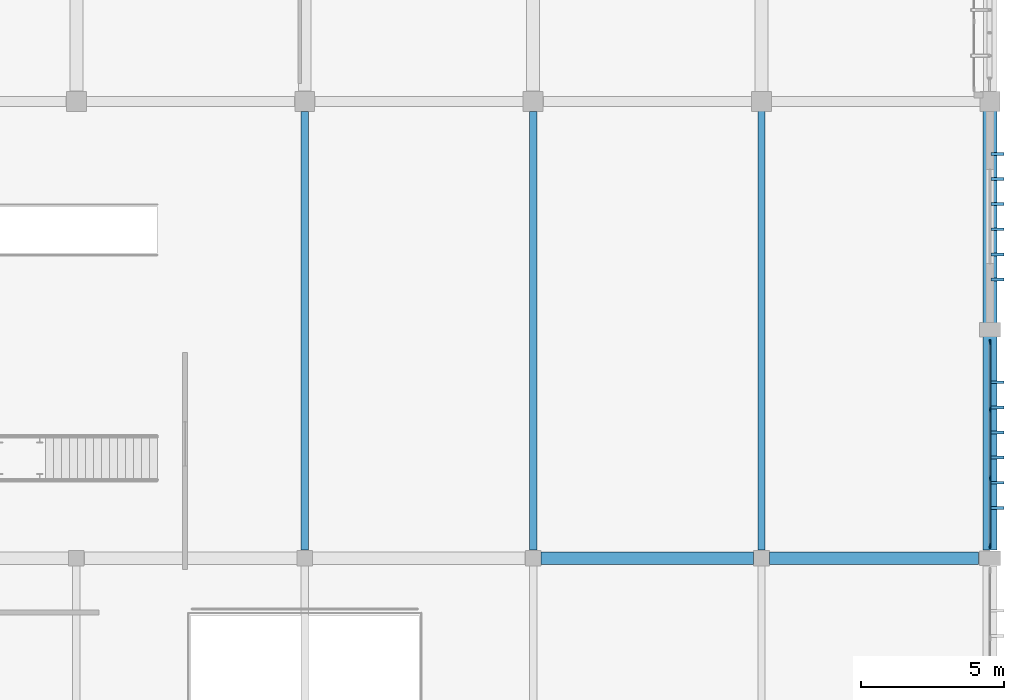
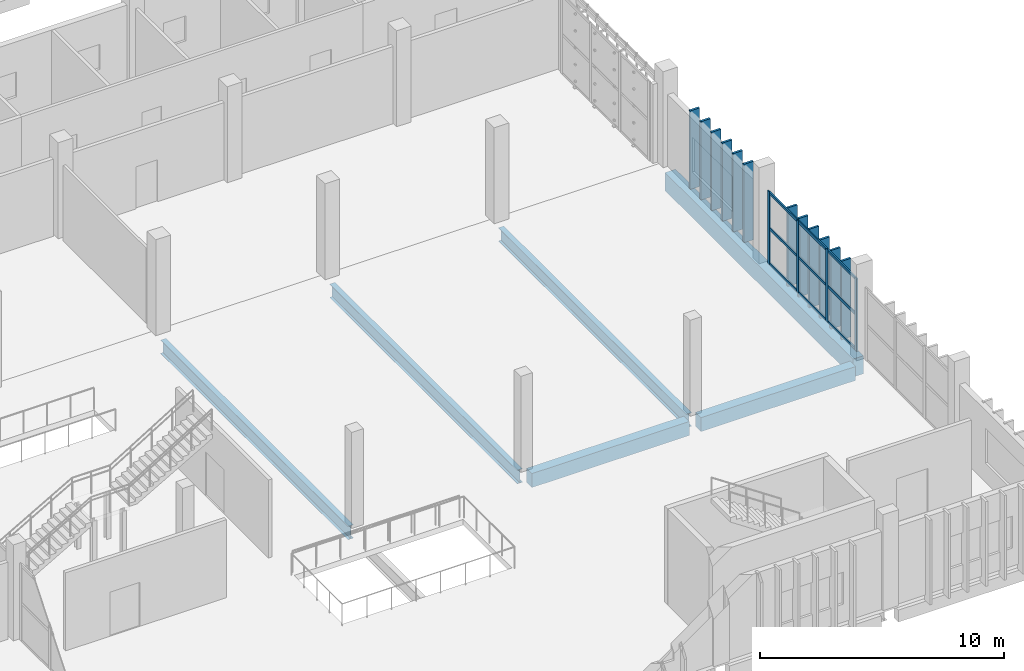
# One storey, part 52 of 106: 25 members, 6 beams, 1 element without a shape of its own.
"""IFC4 building model written with IfcOpenShell, lengths in metres."""

from ifc_helpers import new_model, si_unit, direction, frame, origin, origin_2d, place, context, subcontext, project, spatial, rectangle, i_section, extrude, material, layer, layer_set, material_profile, profile_set, type_object, element, aggregate, save


model = new_model("IFC4")

# Units and contexts
model_context = context("Model", 3, precision=1e-05, world=origin(), true_north=direction((0.0, 1.0)))
body_context = subcontext(model_context, "Body", "Model", "MODEL_VIEW")
ifc_project = project(units=[si_unit("LENGTHUNIT", "METRE"), si_unit("AREAUNIT", "SQUARE_METRE"), si_unit("VOLUMEUNIT", "CUBIC_METRE"), si_unit("PLANEANGLEUNIT", "RADIAN"), si_unit("MASSUNIT", "GRAM", prefix="KILO")], contexts=[model_context])

# Site, building, storey
site_placement = place(None, origin())
site = spatial("IfcSite", under=ifc_project, at=site_placement, CompositionType="ELEMENT")
building_placement = place(site_placement, origin())
building = spatial("IfcBuilding", under=site, at=building_placement, Name="Jelvoka-Kovrelna Polytechnic", CompositionType="ELEMENT")
storey_placement = place(building_placement, frame((0.0, 0.0, 4.800048828125)))
storey = spatial("IfcBuildingStorey", under=building, at=storey_placement, Name="L02", CompositionType="ELEMENT", Elevation=4.800048828125)

# Beams
ifc_material_1 = material(Name="Concrete C40/50", Category="concrete")
ifc_material_profile_1 = material_profile(ifc_material_1, rectangle(XDim=0.449951171875, YDim=0.699951171875, at=origin_2d()), Name="RC 450x700")
ifc_profile_set_1 = profile_set([ifc_material_profile_1], Name="Concrete C40/50")
beam_type_1 = type_object("IfcBeamType", Name="Beam_RC_450x700", PredefinedType="BEAM", material=ifc_profile_set_1)
beam_1_placement = place(storey_placement, frame((184.280029296875, 16.0, -0.635009765625), z_axis=(1.0, 0.0, 0.0), x_axis=(0.0, 1.0, 0.0)))
element("IfcBeam", 1, at=beam_1_placement, inside=storey, type_object=beam_type_1, Name="L02 beam 0190", PredefinedType="BEAM", context=body_context, shape_type="SweptSolid", body=[
    extrude(rectangle(XDim=0.449951171875, YDim=0.699951171875, at=origin_2d()), origin(), (0.0, 0.0, 1.0), 7.43994140625),
])
beam_2_placement = place(storey_placement, frame((192.280029296875, 16.0, -0.635009765625), z_axis=(1.0, 0.0, 0.0), x_axis=(0.0, 1.0, 0.0)))
element("IfcBeam", 2, at=beam_2_placement, inside=storey, type_object=beam_type_1, Name="L02 beam 0193", PredefinedType="BEAM", context=body_context, shape_type="SweptSolid", body=[
    extrude(rectangle(XDim=0.449951171875, YDim=0.699951171875, at=origin_2d()), origin(), (0.0, 0.0, 1.0), 7.31494140625),
])
ifc_material_2 = material(Name="Concrete C40/50", Category="concrete")
ifc_material_profile_2 = material_profile(ifc_material_2, rectangle(XDim=0.5, YDim=0.89990234375, at=origin_2d()), Name="RC 500x900")
ifc_profile_set_2 = profile_set([ifc_material_profile_2], Name="Concrete C40/50")
beam_type_2 = type_object("IfcBeamType", Name="Beam_RC_500x900", PredefinedType="BEAM", material=ifc_profile_set_2)
beam_3_placement = place(storey_placement, frame((200.0, 16.280029296875, -0.735107421875), z_axis=(0.0, 1.0, 0.0), x_axis=(-1.0, 0.0, 0.0)))
element("IfcBeam", 3, at=beam_3_placement, inside=storey, type_object=beam_type_2, Name="L02 beam 0179", PredefinedType="BEAM", context=body_context, shape_type="SweptSolid", body=[
    extrude(rectangle(XDim=0.5, YDim=0.89990234375, at=origin_2d()), origin(), (0.0, 0.0, 1.0), 15.389892578125),
])
ifc_material_3 = material(Name="Structural steel S355JR", Category="steel")
ifc_material_profile_3 = material_profile(ifc_material_3, i_section(OverallWidth=0.2529296875, OverallDepth=0.677978515625, WebThickness=0.01171875, FlangeThickness=0.01611328125, FilletRadius=0.01513671875, at=origin_2d()), Name="686x254x125 UB")
ifc_profile_set_3 = profile_set([ifc_material_profile_3], Name="Structural steel S355JR")
beam_type_3 = type_object("IfcBeamType", Name="Girder_Steel_UB686", PredefinedType="BEAM", material=ifc_profile_set_3)
for number, where, z_axis, x_axis, name in (
    (4, (176.0, 16.280029296875, -0.6240234375), (0.0, 1.0, 0.0), (-1.0, 0.0, 0.0), "L02 beam 0173"),
    (5, (184.0, 16.280029296875, -0.6240234375), (0.0, 1.0, 0.0), (-1.0, 0.0, 0.0), "L02 beam 0175"),
):
    element("IfcBeam", number, at=place(storey_placement, frame(where, z_axis=z_axis, x_axis=x_axis)), inside=storey, type_object=beam_type_3, Name=name, PredefinedType="BEAM", context=body_context, shape_type="SweptSolid", body=[
        extrude(i_section(OverallWidth=0.2529296875, OverallDepth=0.677978515625, WebThickness=0.01171875, FlangeThickness=0.01611328125, FilletRadius=0.01513671875, at=origin_2d()), origin(), (0.0, 0.0, 1.0), 15.364990234375),
    ])
beam_4_placement = place(storey_placement, frame((192.0, 16.280029296875, -0.6240234375), z_axis=(0.0, 1.0, 0.0), x_axis=(-1.0, 0.0, 0.0)))
element("IfcBeam", 6, at=beam_4_placement, inside=storey, type_object=beam_type_3, Name="L02 beam 0177", PredefinedType="BEAM", context=body_context, shape_type="SweptSolid", body=[
    extrude(i_section(OverallWidth=0.2529296875, OverallDepth=0.677978515625, WebThickness=0.01171875, FlangeThickness=0.01611328125, FilletRadius=0.01513671875, at=origin_2d()), origin(), (0.0, 0.0, 1.0), 15.389892578125),
])

# Members
ifc_material_4 = material(Name="Precast concrete C40/50", Category="concrete")
ifc_material_profile_4 = material_profile(ifc_material_4, rectangle(XDim=0.10009765625, YDim=0.449951171875, at=origin_2d()), Name="PC 100x450")
ifc_profile_set_4 = profile_set([ifc_material_profile_4], Name="Precast concrete C40/50")
member_type_1 = type_object("IfcMemberType", Name="Louvre_Fin_100x450", PredefinedType="USERDEFINED", material=ifc_profile_set_4)
for number, where, z_axis, x_axis, name in (
    (7, (200.264892578125, 17.760009765625, -0.2900390625), (0.0, 0.0, 1.0), (0.0, 1.0, 0.0), "L02 V5 east solar louvre fin 2512"),
    (8, (200.264892578125, 18.639892578125, -0.2900390625), (0.0, 0.0, 1.0), (0.0, 1.0, 0.0), "L02 V5 east solar louvre fin 2513"),
    (9, (200.264892578125, 19.52001953125, -0.2900390625), (0.0, 0.0, 1.0), (0.0, 1.0, 0.0), "L02 V5 east solar louvre fin 2514"),
    (10, (200.264892578125, 20.39990234375, -0.2900390625), (0.0, 0.0, 1.0), (0.0, 1.0, 0.0), "L02 V5 east solar louvre fin 2515"),
    (11, (200.264892578125, 21.280029296875, -0.2900390625), (0.0, 0.0, 1.0), (0.0, 1.0, 0.0), "L02 V5 east solar louvre fin 2516"),
    (12, (200.264892578125, 22.159912109375, -0.2900390625), (0.0, 0.0, 1.0), (0.0, 1.0, 0.0), "L02 V5 east solar louvre fin 2517"),
    (13, (200.264892578125, 25.760009765625, -0.2900390625), (0.0, 0.0, 1.0), (0.0, 1.0, 0.0), "L02 V5 east solar louvre fin 2518"),
    (14, (200.264892578125, 26.639892578125, -0.2900390625), (0.0, 0.0, 1.0), (0.0, 1.0, 0.0), "L02 V5 east solar louvre fin 2519"),
    (15, (200.264892578125, 27.52001953125, -0.2900390625), (0.0, 0.0, 1.0), (0.0, 1.0, 0.0), "L02 V5 east solar louvre fin 2520"),
    (16, (200.264892578125, 28.39990234375, -0.2900390625), (0.0, 0.0, 1.0), (0.0, 1.0, 0.0), "L02 V5 east solar louvre fin 2521"),
    (17, (200.264892578125, 29.280029296875, -0.2900390625), (0.0, 0.0, 1.0), (0.0, 1.0, 0.0), "L02 V5 east solar louvre fin 2522"),
    (18, (200.264892578125, 30.159912109375, -0.2900390625), (0.0, 0.0, 1.0), (0.0, 1.0, 0.0), "L02 V5 east solar louvre fin 2523"),
):
    element("IfcMember", number, at=place(storey_placement, frame(where, z_axis=z_axis, x_axis=x_axis)), inside=storey, type_object=member_type_1, Name=name, ObjectType="SUNSHADE", PredefinedType="USERDEFINED", context=body_context, shape_type="SweptSolid", body=[
        extrude(rectangle(XDim=0.10009765625, YDim=0.449951171875, at=origin_2d()), origin(), (0.0, 0.0, 1.0), 3.929931640625),
    ])

# Curtain wall, members
ifc_material_5 = material(Name="Anodised aluminium 6063-T6", Category="aluminium")
ifc_layer = layer(ifc_material_5, 0.179931640625)
ifc_layer_set = layer_set([ifc_layer], Name="Anodised aluminium 6063-T6")
curtain_wall_type = type_object("IfcCurtainWallType", Name="CW_Pavilion", PredefinedType="NOTDEFINED", material=ifc_layer_set)
curtain_wall_placement = place(storey_placement, origin())
curtain_wall = element("IfcCurtainWall", 19, at=curtain_wall_placement, inside=storey, type_object=curtain_wall_type, Name="L02 glazed curtain wall 282", PredefinedType="NOTDEFINED")
ifc_material_6 = material(Name="Anodised aluminium 6063-T6", Category="aluminium")
ifc_material_profile_5 = material_profile(ifc_material_6, rectangle(XDim=0.06494140625, YDim=0.179931640625, at=origin_2d()), Name="ALU 65x180")
ifc_profile_set_5 = profile_set([ifc_material_profile_5], Name="Anodised aluminium 6063-T6")
member_type_2 = type_object("IfcMemberType", Name="Mullion_M-05", PredefinedType="MULLION", material=ifc_profile_set_5)
member_1_placement = place(storey_placement, frame((200.0, 23.5673828125, -0.02490234375), z_axis=(0.0, 0.0, 1.0), x_axis=(1.0, 0.0, 0.0)))
member_1 = element("IfcMember", 20, at=member_1_placement, type_object=member_type_2, Name="CW-05 mullion 1", PredefinedType="MULLION", context=body_context, shape_type="SweptSolid", body=[
    extrude(rectangle(XDim=0.06494140625, YDim=0.179931640625, at=origin_2d()), origin(), (0.0, 0.0, 1.0), 3.639892578125),
])
member_2_placement = place(storey_placement, frame((200.0, 21.199951171875, -0.02490234375), z_axis=(0.0, 0.0, 1.0), x_axis=(1.0, 0.0, 0.0)))
member_2 = element("IfcMember", 21, at=member_2_placement, type_object=member_type_2, Name="CW-05 mullion 2", PredefinedType="MULLION", context=body_context, shape_type="SweptSolid", body=[
    extrude(rectangle(XDim=0.06494140625, YDim=0.179931640625, at=origin_2d()), origin(), (0.0, 0.0, 1.0), 3.639892578125),
])
member_3_placement = place(storey_placement, frame((200.0, 18.800048828125, -0.02490234375), z_axis=(0.0, 0.0, 1.0), x_axis=(1.0, 0.0, 0.0)))
member_3 = element("IfcMember", 22, at=member_3_placement, type_object=member_type_2, Name="CW-05 mullion 3", PredefinedType="MULLION", context=body_context, shape_type="SweptSolid", body=[
    extrude(rectangle(XDim=0.06494140625, YDim=0.179931640625, at=origin_2d()), origin(), (0.0, 0.0, 1.0), 3.639892578125),
])
member_4_placement = place(storey_placement, frame((200.0, 16.4326171875, -0.02490234375), z_axis=(0.0, 0.0, 1.0), x_axis=(1.0, 0.0, 0.0)))
member_4 = element("IfcMember", 23, at=member_4_placement, type_object=member_type_2, Name="CW-05 mullion 4", PredefinedType="MULLION", context=body_context, shape_type="SweptSolid", body=[
    extrude(rectangle(XDim=0.06494140625, YDim=0.179931640625, at=origin_2d()), origin(), (0.0, 0.0, 1.0), 3.639892578125),
])
ifc_material_7 = material(Name="Anodised aluminium 6063-T6", Category="aluminium")
ifc_material_profile_6 = material_profile(ifc_material_7, rectangle(XDim=0.06494140625, YDim=0.135009765625, at=origin_2d()), Name="ALU 65x135")
ifc_profile_set_6 = profile_set([ifc_material_profile_6], Name="Anodised aluminium 6063-T6")
member_type_3 = type_object("IfcMemberType", Name="Transom_T-05", PredefinedType="USERDEFINED", material=ifc_profile_set_6)
member_5_placement = place(storey_placement, frame((200.0, 23.534912109375, 0.032470703125), z_axis=(0.0, -1.0, 0.0), x_axis=(1.0, 0.0, 0.0)))
member_5 = element("IfcMember", 24, at=member_5_placement, type_object=member_type_3, Name="CW-05 transom 1.1", ObjectType="TRANSOM", PredefinedType="USERDEFINED", context=body_context, shape_type="SweptSolid", body=[
    extrude(rectangle(XDim=0.06494140625, YDim=0.135009765625, at=origin_2d()), origin(), (0.0, 0.0, 1.0), 2.302490234375),
])
member_6_placement = place(storey_placement, frame((200.0, 23.534912109375, 1.794921875), z_axis=(0.0, -1.0, 0.0), x_axis=(1.0, 0.0, 0.0)))
member_6 = element("IfcMember", 25, at=member_6_placement, type_object=member_type_3, Name="CW-05 transom 1.2", ObjectType="TRANSOM", PredefinedType="USERDEFINED", context=body_context, shape_type="SweptSolid", body=[
    extrude(rectangle(XDim=0.06494140625, YDim=0.135009765625, at=origin_2d()), origin(), (0.0, 0.0, 1.0), 2.302490234375),
])
member_7_placement = place(storey_placement, frame((200.0, 23.534912109375, 3.557373046875), z_axis=(0.0, -1.0, 0.0), x_axis=(1.0, 0.0, 0.0)))
member_7 = element("IfcMember", 26, at=member_7_placement, type_object=member_type_3, Name="CW-05 transom 1.3", ObjectType="TRANSOM", PredefinedType="USERDEFINED", context=body_context, shape_type="SweptSolid", body=[
    extrude(rectangle(XDim=0.06494140625, YDim=0.135009765625, at=origin_2d()), origin(), (0.0, 0.0, 1.0), 2.302490234375),
])
member_8_placement = place(storey_placement, frame((200.0, 21.16748046875, 0.032470703125), z_axis=(0.0, -1.0, 0.0), x_axis=(1.0, 0.0, 0.0)))
member_8 = element("IfcMember", 27, at=member_8_placement, type_object=member_type_3, Name="CW-05 transom 2.1", ObjectType="TRANSOM", PredefinedType="USERDEFINED", context=body_context, shape_type="SweptSolid", body=[
    extrude(rectangle(XDim=0.06494140625, YDim=0.135009765625, at=origin_2d()), origin(), (0.0, 0.0, 1.0), 2.3349609375),
])
member_9_placement = place(storey_placement, frame((200.0, 21.16748046875, 1.794921875), z_axis=(0.0, -1.0, 0.0), x_axis=(1.0, 0.0, 0.0)))
member_9 = element("IfcMember", 28, at=member_9_placement, type_object=member_type_3, Name="CW-05 transom 2.2", ObjectType="TRANSOM", PredefinedType="USERDEFINED", context=body_context, shape_type="SweptSolid", body=[
    extrude(rectangle(XDim=0.06494140625, YDim=0.135009765625, at=origin_2d()), origin(), (0.0, 0.0, 1.0), 2.3349609375),
])
member_10_placement = place(storey_placement, frame((200.0, 21.16748046875, 3.557373046875), z_axis=(0.0, -1.0, 0.0), x_axis=(1.0, 0.0, 0.0)))
member_10 = element("IfcMember", 29, at=member_10_placement, type_object=member_type_3, Name="CW-05 transom 2.3", ObjectType="TRANSOM", PredefinedType="USERDEFINED", context=body_context, shape_type="SweptSolid", body=[
    extrude(rectangle(XDim=0.06494140625, YDim=0.135009765625, at=origin_2d()), origin(), (0.0, 0.0, 1.0), 2.3349609375),
])
member_11_placement = place(storey_placement, frame((200.0, 18.767578125, 0.032470703125), z_axis=(0.0, -1.0, 0.0), x_axis=(1.0, 0.0, 0.0)))
member_11 = element("IfcMember", 30, at=member_11_placement, type_object=member_type_3, Name="CW-05 transom 3.1", ObjectType="TRANSOM", PredefinedType="USERDEFINED", context=body_context, shape_type="SweptSolid", body=[
    extrude(rectangle(XDim=0.06494140625, YDim=0.135009765625, at=origin_2d()), origin(), (0.0, 0.0, 1.0), 2.302490234375),
])
member_12_placement = place(storey_placement, frame((200.0, 18.767578125, 1.794921875), z_axis=(0.0, -1.0, 0.0), x_axis=(1.0, 0.0, 0.0)))
member_12 = element("IfcMember", 31, at=member_12_placement, type_object=member_type_3, Name="CW-05 transom 3.2", ObjectType="TRANSOM", PredefinedType="USERDEFINED", context=body_context, shape_type="SweptSolid", body=[
    extrude(rectangle(XDim=0.06494140625, YDim=0.135009765625, at=origin_2d()), origin(), (0.0, 0.0, 1.0), 2.302490234375),
])
member_13_placement = place(storey_placement, frame((200.0, 18.767578125, 3.557373046875), z_axis=(0.0, -1.0, 0.0), x_axis=(1.0, 0.0, 0.0)))
member_13 = element("IfcMember", 32, at=member_13_placement, type_object=member_type_3, Name="CW-05 transom 3.3", ObjectType="TRANSOM", PredefinedType="USERDEFINED", context=body_context, shape_type="SweptSolid", body=[
    extrude(rectangle(XDim=0.06494140625, YDim=0.135009765625, at=origin_2d()), origin(), (0.0, 0.0, 1.0), 2.302490234375),
])
aggregate(curtain_wall, [member_1, member_2, member_3, member_4, member_5, member_6, member_7, member_8, member_9, member_10, member_11, member_12, member_13])

save(model, "model.ifc")
